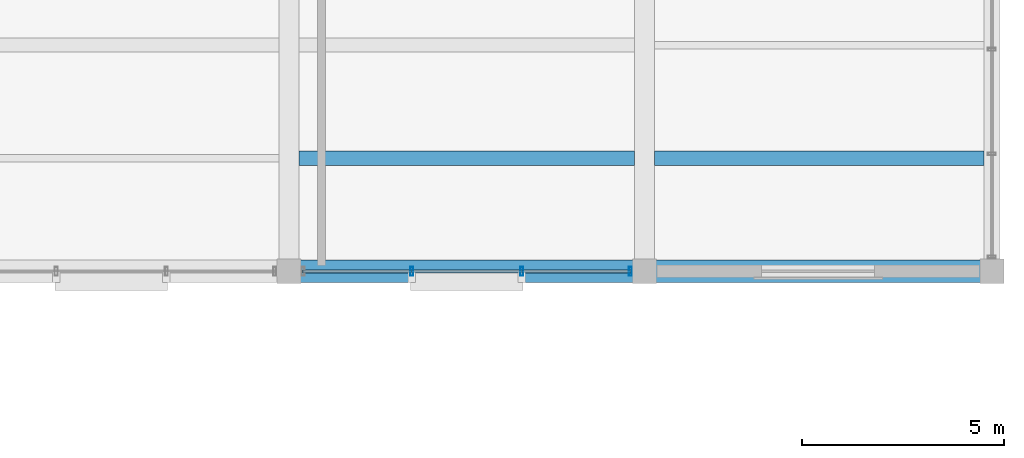
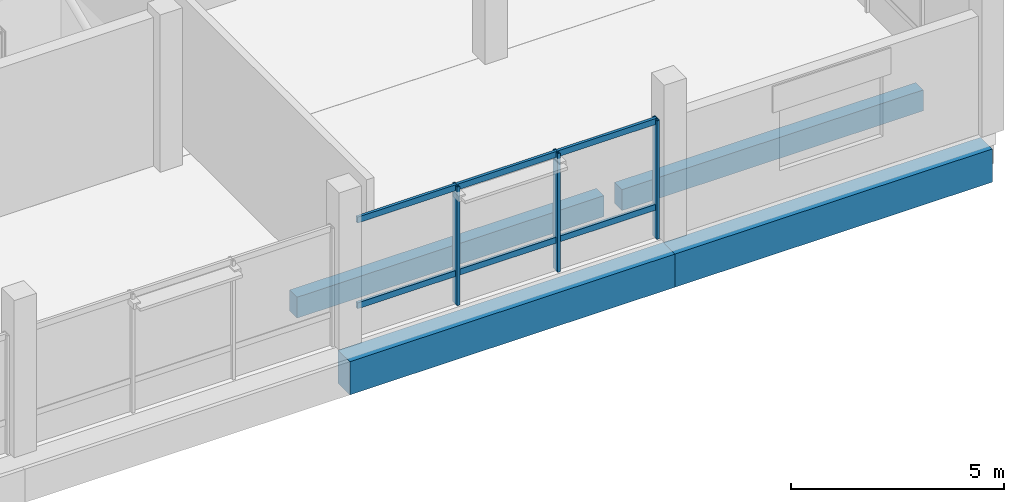
# One storey, part 50 of 77: 9 members, 4 beams, 1 element without a shape of its own.
"""IFC4 building model written with IfcOpenShell, lengths in metres."""

from ifc_helpers import new_model, si_unit, direction, frame, origin, origin_2d, place, context, subcontext, project, spatial, rectangle, hollow_rectangle, extrude, material, layer, layer_set, material_profile, profile_set, type_object, element, aggregate, save


model = new_model("IFC4")

# Units and contexts
model_context = context("Model", 3, precision=1e-05, world=origin(), true_north=direction((0.0, 1.0)))
body_context = subcontext(model_context, "Body", "Model", "MODEL_VIEW")
ifc_project = project(units=[si_unit("LENGTHUNIT", "METRE"), si_unit("AREAUNIT", "SQUARE_METRE"), si_unit("VOLUMEUNIT", "CUBIC_METRE"), si_unit("PLANEANGLEUNIT", "RADIAN"), si_unit("MASSUNIT", "GRAM", prefix="KILO")], contexts=[model_context])

# Site, building, storey
site_placement = place(None, origin())
site = spatial("IfcSite", under=ifc_project, at=site_placement, CompositionType="ELEMENT")
building_placement = place(site_placement, origin())
building = spatial("IfcBuilding", under=site, at=building_placement, Name="Meriwether Solvik Hall", CompositionType="ELEMENT")
storey_placement = place(building_placement, frame((0.0, 0.0, 9.89990234375)))
storey = spatial("IfcBuildingStorey", under=building, at=storey_placement, Name="L02", CompositionType="ELEMENT", Elevation=9.89990234375)

# Beams
ifc_material_1 = material(Name="Concrete C40/50", Category="concrete")
ifc_material_profile_1 = material_profile(ifc_material_1, rectangle(XDim=0.35009765625, YDim=0.60009765625, at=origin_2d()), Name="RCB-350X600")
ifc_profile_set_1 = profile_set([ifc_material_profile_1], Name="Concrete C40/50")
beam_type_1 = type_object("IfcBeamType", Name="BM-RC-350X600", PredefinedType="JOIST", material=ifc_profile_set_1)
beam_1_placement = place(storey_placement, frame((149.64501953125, 52.800048828125, -0.75), z_axis=(1.0, 0.0, 0.0), x_axis=(0.0, 1.0, 0.0)))
element("IfcBeam", 1, at=beam_1_placement, inside=storey, type_object=beam_type_1, Name="Secondary Floor Joist 17/F_J1 (L02)", PredefinedType="JOIST", context=body_context, shape_type="SweptSolid", body=[
    extrude(rectangle(XDim=0.35009765625, YDim=0.60009765625, at=origin_2d()), origin(), (0.0, 0.0, 1.0), 8.31005859375),
])
beam_2_placement = place(storey_placement, frame((158.445068359375, 52.800048828125, -0.75), z_axis=(1.0, 0.0, 0.0), x_axis=(0.0, 1.0, 0.0)))
element("IfcBeam", 2, at=beam_2_placement, inside=storey, type_object=beam_type_1, Name="Secondary Floor Joist 18/F_J1 (L02)", PredefinedType="JOIST", context=body_context, shape_type="SweptSolid", body=[
    extrude(rectangle(XDim=0.35009765625, YDim=0.60009765625, at=origin_2d()), origin(), (0.0, 0.0, 1.0), 8.159912109375),
])
ifc_material_2 = material(Name="Concrete C40/50", Category="concrete")
ifc_material_profile_2 = material_profile(ifc_material_2, rectangle(XDim=0.550048828125, YDim=0.949951171875, at=origin_2d()), Name="RCB-550X950")
ifc_profile_set_2 = profile_set([ifc_material_profile_2], Name="Concrete C40/50")
beam_type_2 = type_object("IfcBeamType", Name="BM-RC-550X950", PredefinedType="BEAM", material=ifc_profile_set_2)
beam_3_placement = place(storey_placement, frame((149.39990234375, 50.0, -0.9248046875), z_axis=(1.0, 0.0, 0.0), x_axis=(0.0, 1.0, 0.0)))
element("IfcBeam", 3, at=beam_3_placement, inside=storey, type_object=beam_type_2, Name="Podium Girder F:17-18 (L02)", PredefinedType="BEAM", context=body_context, shape_type="SweptSolid", body=[
    extrude(rectangle(XDim=0.550048828125, YDim=0.949951171875, at=origin_2d()), origin(), (0.0, 0.0, 1.0), 8.800048828125),
])
beam_4_placement = place(storey_placement, frame((158.199951171875, 50.0, -0.9248046875), z_axis=(1.0, 0.0, 0.0), x_axis=(0.0, 1.0, 0.0)))
element("IfcBeam", 4, at=beam_4_placement, inside=storey, type_object=beam_type_2, Name="Podium Girder F:18-19 (L02)", PredefinedType="BEAM", context=body_context, shape_type="SweptSolid", body=[
    extrude(rectangle(XDim=0.550048828125, YDim=0.949951171875, at=origin_2d()), origin(), (0.0, 0.0, 1.0), 8.60009765625),
])

# Curtain wall, members
ifc_material_3 = material(Name="Thermally Broken Anodised Aluminium 6063-T6 and Low-E Glass", Category="aluminium")
ifc_layer = layer(ifc_material_3, 0.179931640625)
ifc_layer_set = layer_set([ifc_layer], Name="Thermally Broken Anodised Aluminium 6063-T6 and Low-E Glass")
curtain_wall_type = type_object("IfcCurtainWallType", Name="CW-SF-POD-C", PredefinedType="USERDEFINED", material=ifc_layer_set)
curtain_wall_placement = place(storey_placement, origin())
curtain_wall = element("IfcCurtainWall", 5, at=curtain_wall_placement, inside=storey, type_object=curtain_wall_type, Name="Curtain Wall wing_XF_17_10 (L02)", ObjectType="STICK STOREFRONT GLAZING", PredefinedType="USERDEFINED")
ifc_material_4 = material(Name="Anodised Aluminium 6063-T6", Category="aluminium")
ifc_material_profile_3 = material_profile(ifc_material_4, hollow_rectangle(XDim=0.074951171875, YDim=0.219970703125, WallThickness=0.005615234375, at=origin_2d()), Name="CWM-75X220")
ifc_profile_set_3 = profile_set([ifc_material_profile_3], Name="Anodised Aluminium 6063-T6")
member_type_1 = type_object("IfcMemberType", Name="CW-MUL-75X220", PredefinedType="MULLION", material=ifc_profile_set_3)
member_1_placement = place(storey_placement, frame((157.85009765625, 50.0, 0.0), z_axis=(0.0, 0.0, 1.0), x_axis=(-1.0, 0.0, 0.0)))
member_1 = element("IfcMember", 6, at=member_1_placement, type_object=member_type_1, Name="Curtain Wall Mullion 1", PredefinedType="MULLION", context=body_context, shape_type="SweptSolid", body=[
    extrude(hollow_rectangle(XDim=0.074951171875, YDim=0.219970703125, WallThickness=0.005615234375, at=origin_2d()), origin(), (0.0, 0.0, 1.0), 3.39501953125),
])
member_2_placement = place(storey_placement, frame((155.16259765625, 50.0, 0.0), z_axis=(0.0, 0.0, 1.0), x_axis=(-1.0, 0.0, 0.0)))
member_2 = element("IfcMember", 7, at=member_2_placement, type_object=member_type_1, Name="Curtain Wall Mullion 2", PredefinedType="MULLION", context=body_context, shape_type="SweptSolid", body=[
    extrude(hollow_rectangle(XDim=0.074951171875, YDim=0.219970703125, WallThickness=0.005615234375, at=origin_2d()), origin(), (0.0, 0.0, 1.0), 3.39501953125),
])
member_3_placement = place(storey_placement, frame((152.437255859375, 50.0, 0.0), z_axis=(0.0, 0.0, 1.0), x_axis=(-1.0, 0.0, 0.0)))
member_3 = element("IfcMember", 8, at=member_3_placement, type_object=member_type_1, Name="Curtain Wall Mullion 3", PredefinedType="MULLION", context=body_context, shape_type="SweptSolid", body=[
    extrude(hollow_rectangle(XDim=0.074951171875, YDim=0.219970703125, WallThickness=0.005615234375, at=origin_2d()), origin(), (0.0, 0.0, 1.0), 3.39501953125),
])
ifc_material_5 = material(Name="Anodised Aluminium 6063-T6", Category="aluminium")
ifc_material_profile_4 = material_profile(ifc_material_5, hollow_rectangle(XDim=0.074951171875, YDim=0.169921875, WallThickness=0.005615234375, at=origin_2d()), Name="CWT-75X170")
ifc_profile_set_4 = profile_set([ifc_material_profile_4], Name="Anodised Aluminium 6063-T6")
member_type_2 = type_object("IfcMemberType", Name="CW-TRN-75X170", PredefinedType="USERDEFINED", material=ifc_profile_set_4)
member_4_placement = place(storey_placement, frame((157.85009765625, 50.0, 0.880126953125), z_axis=(-1.0, 0.0, 0.0), x_axis=(0.0, -1.0, 0.0)))
member_4 = element("IfcMember", 9, at=member_4_placement, type_object=member_type_2, Name="Curtain Wall Transom 1-sill", ObjectType="TRANSOM", PredefinedType="USERDEFINED", context=body_context, shape_type="SweptSolid", body=[
    extrude(hollow_rectangle(XDim=0.074951171875, YDim=0.169921875, WallThickness=0.005615234375, at=origin_2d()), origin(), (0.0, 0.0, 1.0), 2.6875),
])
member_5_placement = place(storey_placement, frame((157.85009765625, 50.0, 3.335205078125), z_axis=(-1.0, 0.0, 0.0), x_axis=(0.0, -1.0, 0.0)))
member_5 = element("IfcMember", 10, at=member_5_placement, type_object=member_type_2, Name="Curtain Wall Transom 1-head", ObjectType="TRANSOM", PredefinedType="USERDEFINED", context=body_context, shape_type="SweptSolid", body=[
    extrude(hollow_rectangle(XDim=0.074951171875, YDim=0.169921875, WallThickness=0.005615234375, at=origin_2d()), origin(), (0.0, 0.0, 1.0), 2.6875),
])
member_6_placement = place(storey_placement, frame((155.16259765625, 50.0, 0.880126953125), z_axis=(-1.0, 0.0, 0.0), x_axis=(0.0, -1.0, 0.0)))
member_6 = element("IfcMember", 11, at=member_6_placement, type_object=member_type_2, Name="Curtain Wall Transom 2-sill", ObjectType="TRANSOM", PredefinedType="USERDEFINED", context=body_context, shape_type="SweptSolid", body=[
    extrude(hollow_rectangle(XDim=0.074951171875, YDim=0.169921875, WallThickness=0.005615234375, at=origin_2d()), origin(), (0.0, 0.0, 1.0), 2.725341796875),
])
member_7_placement = place(storey_placement, frame((155.16259765625, 50.0, 3.335205078125), z_axis=(-1.0, 0.0, 0.0), x_axis=(0.0, -1.0, 0.0)))
member_7 = element("IfcMember", 12, at=member_7_placement, type_object=member_type_2, Name="Curtain Wall Transom 2-head", ObjectType="TRANSOM", PredefinedType="USERDEFINED", context=body_context, shape_type="SweptSolid", body=[
    extrude(hollow_rectangle(XDim=0.074951171875, YDim=0.169921875, WallThickness=0.005615234375, at=origin_2d()), origin(), (0.0, 0.0, 1.0), 2.725341796875),
])
member_8_placement = place(storey_placement, frame((152.437255859375, 50.0, 0.880126953125), z_axis=(-1.0, 0.0, 0.0), x_axis=(0.0, -1.0, 0.0)))
member_8 = element("IfcMember", 13, at=member_8_placement, type_object=member_type_2, Name="Curtain Wall Transom 3-sill", ObjectType="TRANSOM", PredefinedType="USERDEFINED", context=body_context, shape_type="SweptSolid", body=[
    extrude(hollow_rectangle(XDim=0.074951171875, YDim=0.169921875, WallThickness=0.005615234375, at=origin_2d()), origin(), (0.0, 0.0, 1.0), 2.687255859375),
])
member_9_placement = place(storey_placement, frame((152.437255859375, 50.0, 3.335205078125), z_axis=(-1.0, 0.0, 0.0), x_axis=(0.0, -1.0, 0.0)))
member_9 = element("IfcMember", 14, at=member_9_placement, type_object=member_type_2, Name="Curtain Wall Transom 3-head", ObjectType="TRANSOM", PredefinedType="USERDEFINED", context=body_context, shape_type="SweptSolid", body=[
    extrude(hollow_rectangle(XDim=0.074951171875, YDim=0.169921875, WallThickness=0.005615234375, at=origin_2d()), origin(), (0.0, 0.0, 1.0), 2.687255859375),
])
aggregate(curtain_wall, [member_1, member_2, member_3, member_4, member_5, member_6, member_7, member_8, member_9])

save(model, "model.ifc")
